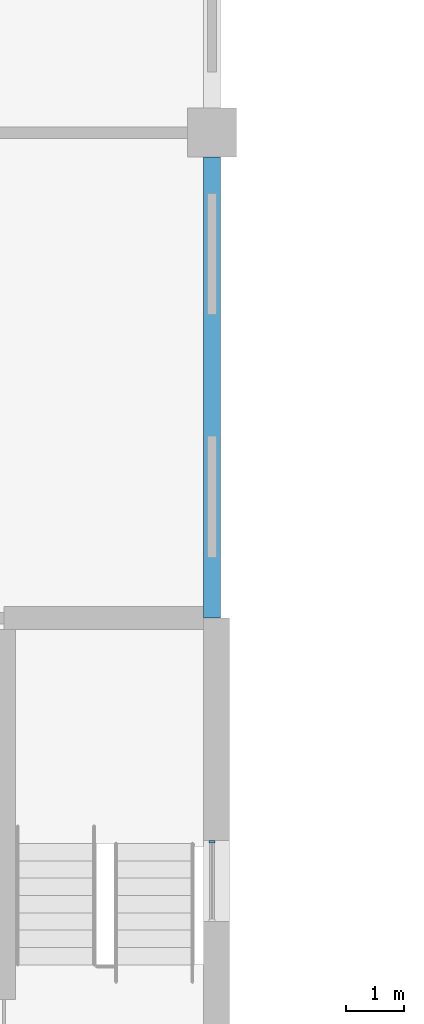
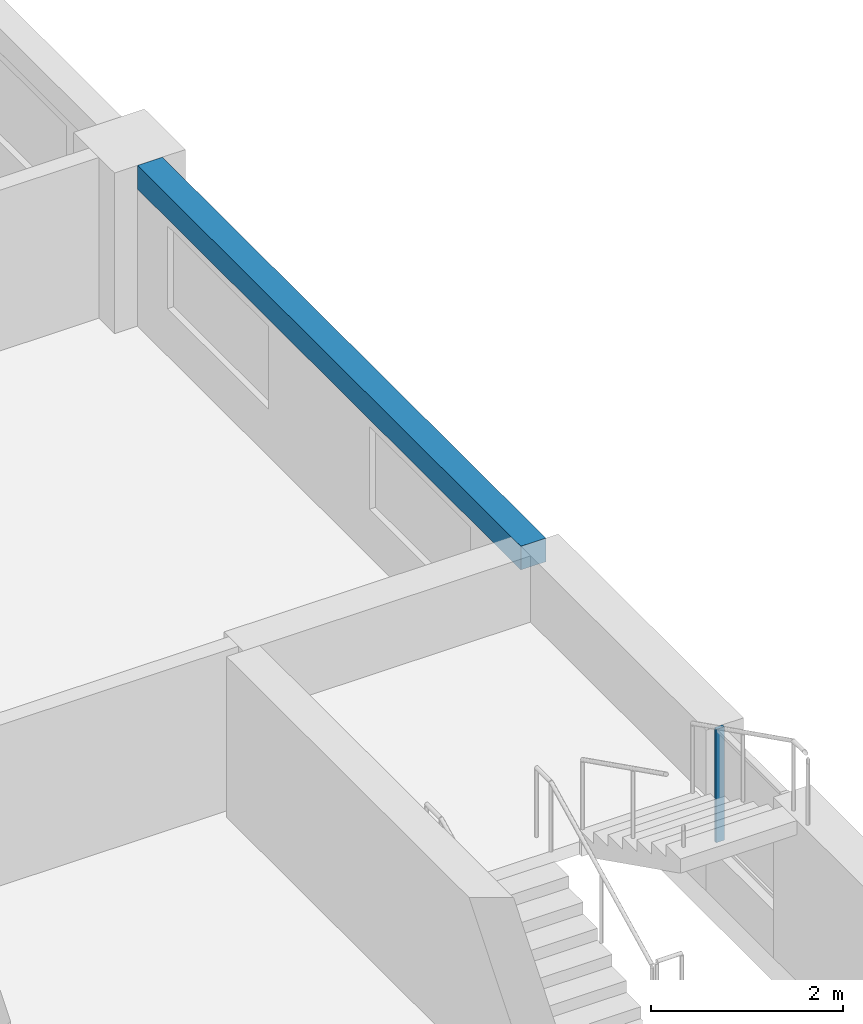
# One storey, part 16 of 48: 1 beam, 1 member, 1 element without a shape of its own.
"""IFC4 building model written with IfcOpenShell, lengths in metres."""

from ifc_helpers import new_model, si_unit, direction, frame, origin, origin_2d, place, context, subcontext, project, spatial, rectangle, extrude, material, material_profile, profile_set, type_object, element, aggregate, save


model = new_model("IFC4")

# Units and contexts
model_context = context("Model", 3, precision=1e-05, world=origin(), true_north=direction((0.0, 1.0)))
body_context = subcontext(model_context, "Body", "Model", "MODEL_VIEW")
ifc_project = project(units=[si_unit("LENGTHUNIT", "METRE"), si_unit("AREAUNIT", "SQUARE_METRE"), si_unit("VOLUMEUNIT", "CUBIC_METRE"), si_unit("PLANEANGLEUNIT", "RADIAN"), si_unit("MASSUNIT", "GRAM", prefix="KILO")], contexts=[model_context])

# Site, building, storey
site_placement = place(None, origin())
site = spatial("IfcSite", under=ifc_project, at=site_placement, CompositionType="ELEMENT")
building_placement = place(site_placement, origin())
building = spatial("IfcBuilding", under=site, at=building_placement, Name="Yavir Park General Hospital", CompositionType="ELEMENT")
storey_placement = place(building_placement, frame((0.0, 0.0, 12.89990234375)))
storey = spatial("IfcBuildingStorey", under=building, at=storey_placement, Name="I02", CompositionType="ELEMENT", Elevation=12.89990234375)

# Beam
ifc_material_1 = material(Name="Concrete C35/45", Category="concrete")
ifc_material_profile_1 = material_profile(ifc_material_1, rectangle(XDim=0.300048828125, YDim=0.300048828125, at=origin_2d()), Name="RC300x300")
ifc_profile_set_1 = profile_set([ifc_material_profile_1], Name="Concrete C35/45")
beam_type = type_object("IfcBeamType", Name="RC BEAM 300x300 edge beam", PredefinedType="BEAM", material=ifc_profile_set_1)
beam_placement = place(storey_placement, frame((25.199951171875, 84.0, 1.89013671875), z_axis=(0.0, 1.0, 0.0), x_axis=(-1.0, 0.0, 0.0)))
element("IfcBeam", 1, at=beam_placement, inside=storey, type_object=beam_type, Name="B:EDGE:I02:047", PredefinedType="BEAM", context=body_context, shape_type="SweptSolid", body=[
    extrude(rectangle(XDim=0.300048828125, YDim=0.300048828125, at=origin_2d()), origin(), (0.0, 0.0, 1.0), 7.97509765625),
])

# Curtain wall, member
ifc_material_2 = material(Name="Aluminium curtain wall frame with insulated glazing", Category="aluminium")
curtain_wall_type = type_object("IfcCurtainWallType", Name="Stair light slot, interstitial floor, 1440 high, 1400 module", PredefinedType="NOTDEFINED", material=ifc_material_2)
curtain_wall_placement = place(storey_placement, origin())
curtain_wall = element("IfcCurtainWall", 2, at=curtain_wall_placement, inside=storey, type_object=curtain_wall_type, Name="CW12 I02-010", PredefinedType="NOTDEFINED")
ifc_material_3 = material(Name="Aluminium", Category="aluminium")
ifc_material_profile_2 = material_profile(ifc_material_3, rectangle(XDim=0.10009765625, YDim=0.0400390625, at=origin_2d()), Name="AL 40x100")
ifc_profile_set_2 = profile_set([ifc_material_profile_2], Name="Aluminium")
member_type = type_object("IfcMemberType", Name="Stair light slot, interstitial floor, 1440 high mullion 40 x 100", PredefinedType="MULLION", material=ifc_profile_set_2)
member_placement = place(storey_placement, frame((25.199951171875, 80.1298828125, 0.60009765625), z_axis=(0.0, 0.0, 1.0), x_axis=(-1.0, 0.0, 0.0)))
member = element("IfcMember", 3, at=member_placement, type_object=member_type, Name="CW12 mullion 2", PredefinedType="MULLION", context=body_context, shape_type="SweptSolid", body=[
    extrude(rectangle(XDim=0.10009765625, YDim=0.0400390625, at=origin_2d()), origin(), (0.0, 0.0, 1.0), 1.43994140625),
])
aggregate(curtain_wall, [member])

save(model, "model.ifc")
